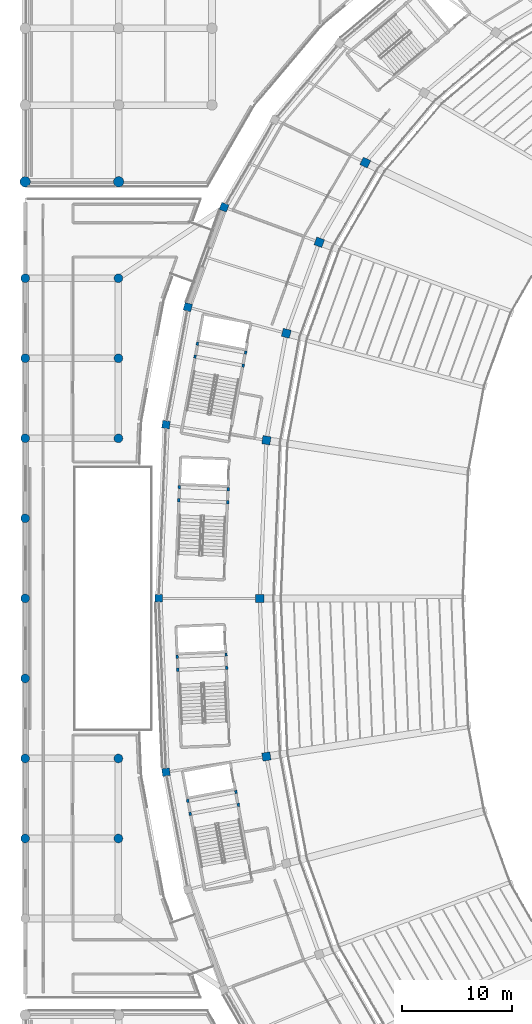
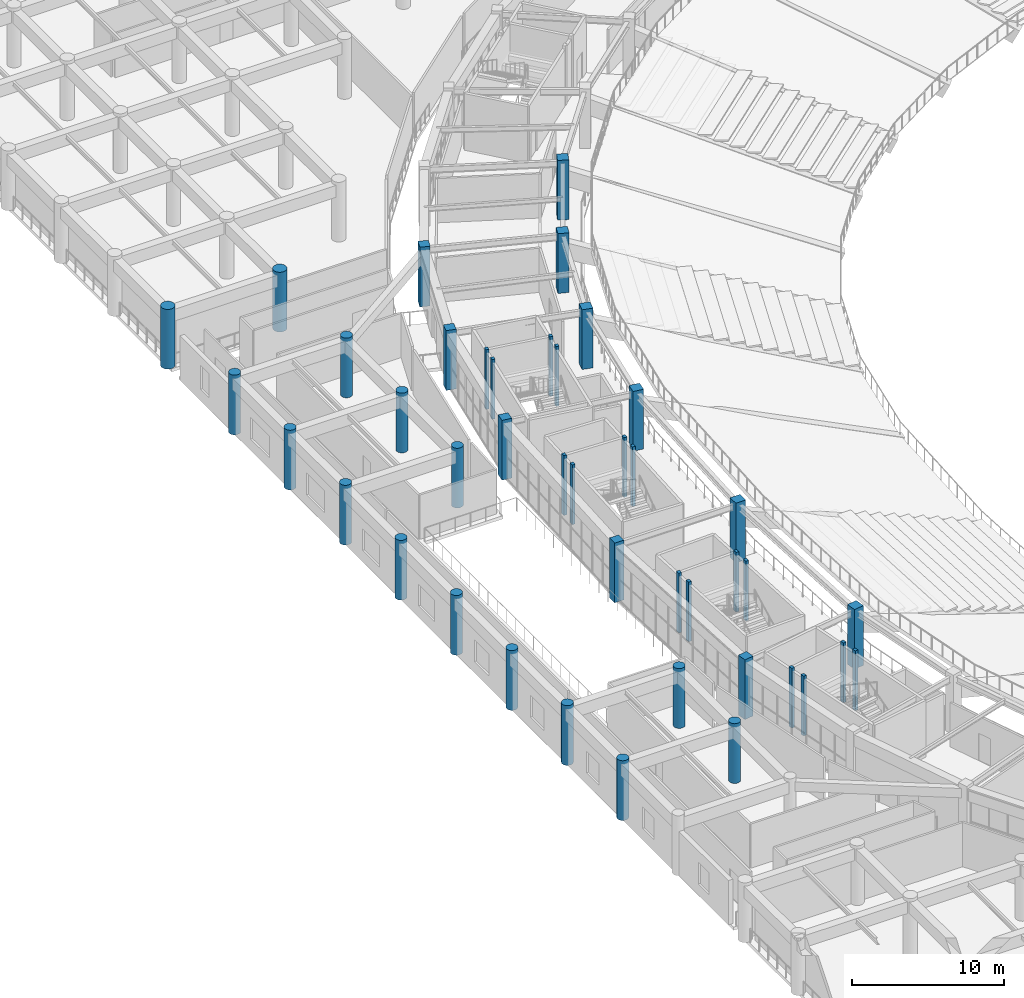
# One storey, part 3 of 137: 42 columns.
"""IFC4 building model written with IfcOpenShell, lengths in metres."""

import ifcopenshell
import ifcopenshell.guid

model = None  # the IFC model being written
_history = None  # IfcOwnerHistory: only IFC2X3 demands one
_inside = {}  # id of a spatial element -> (the spatial element, [elements in it])
_under = {}  # id of a project, library or spatial element -> (it, [spatial elements below it])
_declared = {}  # id of a project -> (the project, [libraries it declares])
_typed = {}  # id of a type object -> (the type object, [elements of that type])
_made_of = {}  # id of a material, layer set ... -> (it, [elements and type objects made of it])


def new_model(schema):
    """Start an empty IFC model of exactly this schema.

    Asked for "IFC4X3", IfcOpenShell would pick the latest addendum, in which some entities
    have other attributes; the version numbers below select the first issue.
    IFC2X3 requires an IfcOwnerHistory on every rooted entity: one is made here for all.
    """
    global model, _history
    if schema == "IFC4X3":
        model = ifcopenshell.file(schema_version=(4, 3, 0, 0))
    else:
        model = ifcopenshell.file(schema=schema)
    _inside.clear()
    _under.clear()
    _declared.clear()
    _typed.clear()
    _made_of.clear()
    _history = None
    if model.schema == "IFC2X3":
        org = make("IfcOrganization", Name="unknown")
        user = make(
            "IfcPersonAndOrganization",
            ThePerson=make("IfcPerson", FamilyName="unknown"),
            TheOrganization=org,
        )
        app = make(
            "IfcApplication",
            ApplicationDeveloper=org,
            Version="unknown",
            ApplicationFullName="unknown",
            ApplicationIdentifier="unknown",
        )
        _history = make(
            "IfcOwnerHistory",
            OwningUser=user,
            OwningApplication=app,
            ChangeAction="ADDED",
            CreationDate=0,
        )
    return model


def make(cls, **values):
    """One entity of the class cls with the attributes given. An attribute that is None is left unset."""
    return model.create_entity(
        cls, **{name: value for name, value in values.items() if value is not None}
    )


def rooted(cls, **values):
    """An entity with a GlobalId (a new one), such as an element, a storey or a relation."""
    return make(cls, GlobalId=ifcopenshell.guid.new(), OwnerHistory=_history, **values)


def si_unit(unit_type, name, prefix=None):
    """IfcSIUnit, for example si_unit("LENGTHUNIT", "METRE", prefix="MILLI")."""
    return make("IfcSIUnit", UnitType=unit_type, Prefix=prefix, Name=name)


def assignment(units):
    """IfcUnitAssignment: the units of a project."""
    return None if units is None else make("IfcUnitAssignment", Units=units)


def point(xyz):
    """IfcCartesianPoint."""
    return None if xyz is None else make("IfcCartesianPoint", Coordinates=xyz)


def direction(xyz):
    """IfcDirection."""
    return None if xyz is None else make("IfcDirection", DirectionRatios=xyz)


def frame(location, z_axis=None, x_axis=None):
    """IfcAxis2Placement3D, a coordinate frame: its origin and axes. An axis left out is left unset."""
    return make(
        "IfcAxis2Placement3D",
        Location=point(location),
        Axis=direction(z_axis),
        RefDirection=direction(x_axis),
    )


def frame_2d(location, x_axis=None):
    """IfcAxis2Placement2D, a coordinate frame in the plane: its origin and x axis."""
    return make(
        "IfcAxis2Placement2D", Location=point(location), RefDirection=direction(x_axis)
    )


def origin():
    """The frame at (0, 0, 0) with its axes left unset."""
    return frame((0.0, 0.0, 0.0))


def origin_2d():
    """The frame at (0, 0) in the plane with its x axis left unset."""
    return frame_2d((0.0, 0.0))


def place(relative_to, where):
    """IfcLocalPlacement: puts the frame where relative to a parent placement (None: the world)."""
    return make(
        "IfcLocalPlacement", PlacementRelTo=relative_to, RelativePlacement=where
    )


def context(
    kind, dimensions, precision=None, world=None, true_north=None, identifier=None
):
    """IfcGeometricRepresentationContext, for example the 3D "Model" context."""
    return make(
        "IfcGeometricRepresentationContext",
        ContextIdentifier=identifier,
        ContextType=kind,
        CoordinateSpaceDimension=dimensions,
        Precision=precision,
        WorldCoordinateSystem=world,
        TrueNorth=true_north,
    )


def subcontext(parent, identifier, kind, view, scale=None):
    """IfcGeometricRepresentationSubContext, for example "Body" below "Model"."""
    return make(
        "IfcGeometricRepresentationSubContext",
        ContextIdentifier=identifier,
        ContextType=kind,
        ParentContext=parent,
        TargetScale=scale,
        TargetView=view,
    )


def project(units=None, contexts=None):
    """IfcProject with its units and contexts."""
    return rooted(
        "IfcProject",
        Name="project",
        RepresentationContexts=contexts,
        UnitsInContext=assignment(units),
    )


def spatial(cls, under=None, at=None, **own):
    """A site, building, storey or space (cls), placed at a placement, below another one or the project."""
    s = rooted(cls, ObjectPlacement=at, **own)
    if under is not None:
        _under.setdefault(under.id(), (under, []))[1].append(s)
    return s


def profile(cls, at=None, kind="AREA", **sizes):
    """A parametric profile (cls). Its sizes go by their IFC names, for example OverallWidth=200.0."""
    return make(cls, ProfileType=kind, Position=at, **sizes)


def rectangle(**sizes):
    """IfcRectangleProfileDef."""
    return profile("IfcRectangleProfileDef", **sizes)


def circle(**sizes):
    """IfcCircleProfileDef."""
    return profile("IfcCircleProfileDef", **sizes)


def extrude(swept, where, along, depth):
    """IfcExtrudedAreaSolid: the profile swept, set in the frame where, extruded along a direction by depth."""
    return make(
        "IfcExtrudedAreaSolid",
        SweptArea=swept,
        Position=where,
        ExtrudedDirection=direction(along),
        Depth=depth,
    )


def shape(context_of_items, identifier, shape_type, items):
    """IfcShapeRepresentation: the items that make up one representation, for example the "Body"."""
    return make(
        "IfcShapeRepresentation",
        ContextOfItems=context_of_items,
        RepresentationIdentifier=identifier,
        RepresentationType=shape_type,
        Items=items,
    )


def material(Name=None, Category=None):
    """IfcMaterial."""
    return make("IfcMaterial", Name=Name, Category=Category)


def material_profile(
    of_material, cross_section, Name=None, Category=None, Priority=None
):
    """IfcMaterialProfile: a cross section and its material."""
    return make(
        "IfcMaterialProfile",
        Name=Name,
        Material=of_material,
        Profile=cross_section,
        Priority=Priority,
        Category=Category,
    )


def profile_set(profiles, Name=None, composite=None):
    """IfcMaterialProfileSet."""
    return make(
        "IfcMaterialProfileSet",
        Name=Name,
        MaterialProfiles=profiles,
        CompositeProfile=composite,
    )


def made_of(thing, what):
    """Note that an element or type object is made of a material, layer set ...; save() writes the relation."""
    if what is not None:
        _made_of.setdefault(what.id(), (what, []))[1].append(thing)
    return thing


def type_object(cls, material=None, **own):
    """A type object (cls), such as IfcWallType, which elements share."""
    return made_of(rooted(cls, **own), material)


def element(
    cls,
    number,
    at=None,
    inside=None,
    cuts=None,
    type_object=None,
    material=None,
    context=None,
    identifier="Body",
    shape_type=None,
    held_by="IfcProductDefinitionShape",
    body=None,
    shapes=None,
    **own,
):
    """One element of the class cls, such as IfcWall. Its Tag is "e" and its number.

    at: its placement. inside: the storey or other place that contains it. cuts: it is an
    opening in that element (IfcRelVoidsElement). A single representation is given by context,
    identifier, shape_type and body (its items); several are given by shapes. held_by: the class
    of the entity that holds the representations. save() writes the other relations.
    """
    e = rooted(cls, Tag="e%d" % number, ObjectPlacement=at, **own)
    if body is not None:
        shapes = [shape(context, identifier, shape_type, body)]
    if shapes is not None:
        e.Representation = make(held_by, Representations=shapes)
    if inside is not None:
        _inside.setdefault(inside.id(), (inside, []))[1].append(e)
    if cuts is not None:
        rooted(
            "IfcRelVoidsElement", RelatingBuildingElement=cuts, RelatedOpeningElement=e
        )
    if type_object is not None:
        _typed.setdefault(type_object.id(), (type_object, []))[1].append(e)
    return made_of(e, material)


def aggregate(whole, parts):
    """IfcRelAggregates: a whole, such as a stair, and the parts it consists of."""
    return rooted("IfcRelAggregates", RelatingObject=whole, RelatedObjects=parts)


def save(model, path):
    """Write the relations noted so far, then the file.

    IfcRelAggregates (storeys below a building ...), IfcRelContainedInSpatialStructure (elements
    in a storey), IfcRelDefinesByType, IfcRelAssociatesMaterial and IfcRelDeclares: one each for
    every whole, place, type object, material and project.
    """
    for whole, parts in _under.values():
        aggregate(whole, parts)
    for where, things in _inside.values():
        rooted(
            "IfcRelContainedInSpatialStructure",
            RelatedElements=things,
            RelatingStructure=where,
        )
    for kind, things in _typed.values():
        rooted("IfcRelDefinesByType", RelatedObjects=things, RelatingType=kind)
    for what, things in _made_of.values():
        rooted("IfcRelAssociatesMaterial", RelatedObjects=things, RelatingMaterial=what)
    for by, libraries in _declared.values():
        rooted("IfcRelDeclares", RelatingContext=by, RelatedDefinitions=libraries)
    model.write(path)


model = new_model("IFC4")

# Units and contexts
model_context = context("Model", 3, precision=1e-05, world=origin(), true_north=direction((0.0, 1.0)))
body_context = subcontext(model_context, "Body", "Model", "MODEL_VIEW")
ifc_project = project(units=[si_unit("LENGTHUNIT", "METRE"), si_unit("AREAUNIT", "SQUARE_METRE"), si_unit("VOLUMEUNIT", "CUBIC_METRE"), si_unit("PLANEANGLEUNIT", "RADIAN"), si_unit("MASSUNIT", "GRAM", prefix="KILO")], contexts=[model_context])

# Site, building, storey
site_placement = place(None, origin())
site = spatial("IfcSite", under=ifc_project, at=site_placement, CompositionType="ELEMENT")
building_placement = place(site_placement, origin())
building = spatial("IfcBuilding", under=site, at=building_placement, Name="Mphavela Belvedere Stadium", CompositionType="ELEMENT")
storey_placement = place(building_placement, frame((0.0, 0.0, 19.199951171875)))
storey = spatial("IfcBuildingStorey", under=building, at=storey_placement, Name="L04", CompositionType="ELEMENT", Elevation=19.199951171875)

# Columns
ifc_material_1 = material(Name="Concrete C40/50", Category="concrete")
ifc_material_profile_1 = material_profile(ifc_material_1, rectangle(XDim=0.300048828125, YDim=0.219970703125, at=origin_2d()), Name="RC 300x220")
ifc_profile_set_1 = profile_set([ifc_material_profile_1], Name="Concrete C40/50")
column_type_1 = type_object("IfcColumnType", Name="COL-CORE-POST-300", PredefinedType="COLUMN", material=ifc_profile_set_1)
for number, where, z_axis, x_axis, name in (
    (1, (19.88623046875, 108.2353515625, 0.0), (0.0, 0.0, 1.0), (0.182578735093, 0.983191235463, 0.0), "Core C06 stair frame column L04-1"),
    (2, (20.105224609375, 109.415283203125, 0.0), (0.0, 0.0, 1.0), (0.182578735093, 0.983191235463, 0.0), "Core C06 stair frame column L04-2"),
    (3, (15.71044921875, 110.231201171875, 0.0), (0.0, 0.0, 1.0), (0.182578735093, 0.983191235463, 0.0), "Core C06 stair frame column L04-3"),
    (4, (15.491455078125, 109.051513671875, 0.0), (0.0, 0.0, 1.0), (0.182578735093, 0.983191235463, 0.0), "Core C06 stair frame column L04-4"),
    (5, (18.47021484375, 95.76318359375, 0.0), (0.0, 0.0, 1.0), (0.041875653729, 0.999122830099, 0.0), "Core C07 stair frame column L04-1"),
    (6, (18.5205078125, 96.96240234375, 0.0), (0.0, 0.0, 1.0), (0.041875653729, 0.999122830099, 0.0), "Core C07 stair frame column L04-2"),
    (7, (14.05419921875, 97.1494140625, 0.0), (0.0, 0.0, 1.0), (0.041875653729, 0.999122830099, 0.0), "Core C07 stair frame column L04-3"),
    (8, (14.004150390625, 95.950439453125, 0.0), (0.0, 0.0, 1.0), (0.041875653729, 0.999122830099, 0.0), "Core C07 stair frame column L04-4"),
    (9, (18.367919921875, 80.674560546875, 0.0), (0.0, 0.0, 1.0), (-0.041875653729, 0.999122830099, 0.0), "Core C08 stair frame column L04-1"),
    (10, (18.317626953125, 81.87353515625, 0.0), (0.0, 0.0, 1.0), (-0.041875653729, 0.999122830099, 0.0), "Core C08 stair frame column L04-2"),
    (11, (13.8515625, 81.686279296875, 0.0), (0.0, 0.0, 1.0), (-0.041875653729, 0.999122830099, 0.0), "Core C08 stair frame column L04-3"),
    (12, (13.90185546875, 80.4873046875, 0.0), (0.0, 0.0, 1.0), (-0.041875653729, 0.999122830099, 0.0), "Core C08 stair frame column L04-4"),
    (13, (19.440673828125, 68.16357421875, 0.0), (0.0, 0.0, 1.0), (-0.182578735093, 0.983191235463, 0.0), "Core C09 stair frame column L04-1"),
    (14, (19.2216796875, 69.343505859375, 0.0), (0.0, 0.0, 1.0), (-0.182578735093, 0.983191235463, 0.0), "Core C09 stair frame column L04-2"),
    (15, (14.82666015625, 68.52734375, 0.0), (0.0, 0.0, 1.0), (-0.182578735093, 0.983191235463, 0.0), "Core C09 stair frame column L04-3"),
    (16, (15.0458984375, 67.347412109375, 0.0), (0.0, 0.0, 1.0), (-0.182578735093, 0.983191235463, 0.0), "Core C09 stair frame column L04-4"),
):
    element("IfcColumn", number, at=place(storey_placement, frame(where, z_axis=z_axis, x_axis=x_axis)), inside=storey, type_object=column_type_1, Name=name, PredefinedType="COLUMN", context=body_context, shape_type="SweptSolid", body=[
        extrude(rectangle(XDim=0.300048828125, YDim=0.219970703125, at=origin_2d()), origin(), (0.0, 0.0, 1.0), 4.800048828125),
    ])
ifc_material_2 = material(Name="Concrete C40/50", Category="concrete")
ifc_material_profile_2 = material_profile(ifc_material_2, circle(Radius=0.47509765625, at=origin_2d()), Name="COL D950")
ifc_profile_set_2 = profile_set([ifc_material_profile_2], Name="Concrete C40/50")
column_type_2 = type_object("IfcColumnType", Name="COL-DORIC-950", PredefinedType="COLUMN", material=ifc_profile_set_2)
for number, where, z_axis, x_axis, name in (
    (17, (0.0, 125.0, 0.0), (0.0, 0.0, 1.0), (1.0, 0.0, 0.0), "North Mast and Ceremonial End Forecourt classical column L04 1-1"),
    (18, (8.51904296875, 125.0, 0.0), (0.0, 0.0, 1.0), (1.0, 0.0, 0.0), "North Mast and Ceremonial End Forecourt classical column L04 2-1"),
):
    element("IfcColumn", number, at=place(storey_placement, frame(where, z_axis=z_axis, x_axis=x_axis)), inside=storey, type_object=column_type_2, Name=name, PredefinedType="COLUMN", context=body_context, shape_type="SweptSolid", body=[
        extrude(circle(Radius=0.47509765625, at=origin_2d()), origin(), (0.0, 0.0, 1.0), 4.800048828125),
    ])
ifc_material_3 = material(Name="Concrete C40/50", Category="concrete")
ifc_material_profile_3 = material_profile(ifc_material_3, circle(Radius=0.39990234375, at=origin_2d()), Name="COL D800")
ifc_profile_set_3 = profile_set([ifc_material_profile_3], Name="Concrete C40/50")
column_type_3 = type_object("IfcColumnType", Name="COL-PERISTYLE-800", PredefinedType="COLUMN", material=ifc_profile_set_3)
for number, where, z_axis, x_axis, name in (
    (19, (0.0, 65.10009765625, 0.0), (0.0, 0.0, 1.0), (1.0, 0.0, 0.0), "West Planted Eaves Peristyle Colonnade classical column L04 1-3"),
    (20, (0.0, 72.39990234375, 0.0), (0.0, 0.0, 1.0), (1.0, 0.0, 0.0), "West Planted Eaves Peristyle Colonnade classical column L04 1-4"),
    (21, (0.0, 79.699951171875, 0.0), (0.0, 0.0, 1.0), (1.0, 0.0, 0.0), "West Planted Eaves Peristyle Colonnade classical column L04 1-5"),
    (22, (0.0, 87.0, 0.0), (0.0, 0.0, 1.0), (1.0, 0.0, 0.0), "West Planted Eaves Peristyle Colonnade classical column L04 1-6"),
    (23, (0.0, 94.300048828125, 0.0), (0.0, 0.0, 1.0), (1.0, 0.0, 0.0), "West Planted Eaves Peristyle Colonnade classical column L04 1-7"),
    (24, (0.0, 101.60009765625, 0.0), (0.0, 0.0, 1.0), (1.0, 0.0, 0.0), "West Planted Eaves Peristyle Colonnade classical column L04 1-8"),
    (25, (0.0, 108.89990234375, 0.0), (0.0, 0.0, 1.0), (1.0, 0.0, 0.0), "West Planted Eaves Peristyle Colonnade classical column L04 1-9"),
    (26, (0.0, 116.199951171875, 0.0), (0.0, 0.0, 1.0), (1.0, 0.0, 0.0), "West Planted Eaves Peristyle Colonnade classical column L04 1-10"),
    (27, (8.5, 65.10009765625, 0.0), (0.0, 0.0, 1.0), (1.0, 0.0, 0.0), "West Planted Eaves Peristyle Colonnade classical column L04 2-3"),
    (28, (8.5, 72.39990234375, 0.0), (0.0, 0.0, 1.0), (1.0, 0.0, 0.0), "West Planted Eaves Peristyle Colonnade classical column L04 2-4"),
    (29, (8.5, 101.60009765625, 0.0), (0.0, 0.0, 1.0), (1.0, 0.0, 0.0), "West Planted Eaves Peristyle Colonnade classical column L04 2-8"),
    (30, (8.5, 108.89990234375, 0.0), (0.0, 0.0, 1.0), (1.0, 0.0, 0.0), "West Planted Eaves Peristyle Colonnade classical column L04 2-9"),
    (31, (8.5, 116.199951171875, 0.0), (0.0, 0.0, 1.0), (1.0, 0.0, 0.0), "West Planted Eaves Peristyle Colonnade classical column L04 2-10"),
):
    element("IfcColumn", number, at=place(storey_placement, frame(where, z_axis=z_axis, x_axis=x_axis)), inside=storey, type_object=column_type_3, Name=name, PredefinedType="COLUMN", context=body_context, shape_type="SweptSolid", body=[
        extrude(circle(Radius=0.39990234375, at=origin_2d()), origin(), (0.0, 0.0, 1.0), 4.800048828125),
    ])
ifc_material_4 = material(Name="Concrete C40/50", Category="concrete")
ifc_material_profile_4 = material_profile(ifc_material_4, rectangle(XDim=0.699951171875, YDim=0.699951171875, at=origin_2d()), Name="RC 700x700")
ifc_profile_set_4 = profile_set([ifc_material_profile_4], Name="Concrete C40/50")
column_type_4 = type_object("IfcColumnType", Name="COL-RC700", PredefinedType="COLUMN", material=ifc_profile_set_4)
for number, where, z_axis, x_axis, name in (
    (32, (18.143798828125, 122.682373046875, 0.0), (0.0, 0.0, 1.0), (-0.938372433776, 0.34562577382, 0.0), "Outer colonnade column L04 R4-22"),
    (33, (14.83544921875, 113.5625, 0.0), (0.0, 0.0, 1.0), (-0.966600102017, 0.256289373133, 0.0), "Outer colonnade column L04 R4-23"),
    (34, (12.844482421875, 102.844970703125, 0.0), (0.0, 0.0, 1.0), (-0.98817491911, 0.153330783737, 0.0), "Outer colonnade column L04 R4-24"),
    (35, (12.179931640625, 87.0, 0.0), (0.0, 0.0, 1.0), (-1.0, 0.0, 0.0), "Outer colonnade column L04 R4-25"),
    (36, (12.844482421875, 71.155029296875, 0.0), (0.0, 0.0, 1.0), (-0.98817491911, -0.153330783737, 0.0), "Outer colonnade column L04 R4-26"),
):
    element("IfcColumn", number, at=place(storey_placement, frame(where, z_axis=z_axis, x_axis=x_axis)), inside=storey, type_object=column_type_4, Name=name, PredefinedType="COLUMN", context=body_context, shape_type="SweptSolid", body=[
        extrude(rectangle(XDim=0.699951171875, YDim=0.699951171875, at=origin_2d()), origin(), (0.0, 0.0, 1.0), 4.800048828125),
    ])
ifc_material_5 = material(Name="Concrete C40/50", Category="concrete")
ifc_material_profile_5 = material_profile(ifc_material_5, rectangle(XDim=0.75, YDim=0.75, at=origin_2d()), Name="RC 750x750")
ifc_profile_set_5 = profile_set([ifc_material_profile_5], Name="Concrete C40/50")
column_type_5 = type_object("IfcColumnType", Name="COL-RC750", PredefinedType="COLUMN", material=ifc_profile_set_5)
for number, where, z_axis, x_axis, name in (
    (37, (31.0244140625, 126.748291015625, 0.0), (0.0, 0.0, 1.0), (-0.903858661687, 0.4278311813, 0.0), "Main bowl column L04 R3-21"),
    (38, (26.824462890625, 119.484375, 0.0), (0.0, 0.0, 1.0), (-0.938372433776, 0.34562577382, 0.0), "Main bowl column L04 R3-22"),
    (39, (23.8125, 111.181884765625, 0.0), (0.0, 0.0, 1.0), (-0.966600102017, 0.256289373133, 0.0), "Main bowl column L04 R3-23"),
    (40, (22.0, 101.4248046875, 0.0), (0.0, 0.0, 1.0), (-0.98817491911, 0.153330783737, 0.0), "Main bowl column L04 R3-24"),
    (41, (21.39501953125, 87.0, 0.0), (0.0, 0.0, 1.0), (-1.0, 0.0, 0.0), "Main bowl column L04 R3-25"),
    (42, (22.0, 72.5751953125, 0.0), (0.0, 0.0, 1.0), (-0.98817491911, -0.153330783737, 0.0), "Main bowl column L04 R3-26"),
):
    element("IfcColumn", number, at=place(storey_placement, frame(where, z_axis=z_axis, x_axis=x_axis)), inside=storey, type_object=column_type_5, Name=name, PredefinedType="COLUMN", context=body_context, shape_type="SweptSolid", body=[
        extrude(rectangle(XDim=0.75, YDim=0.75, at=origin_2d()), origin(), (0.0, 0.0, 1.0), 4.800048828125),
    ])

save(model, "model.ifc")
